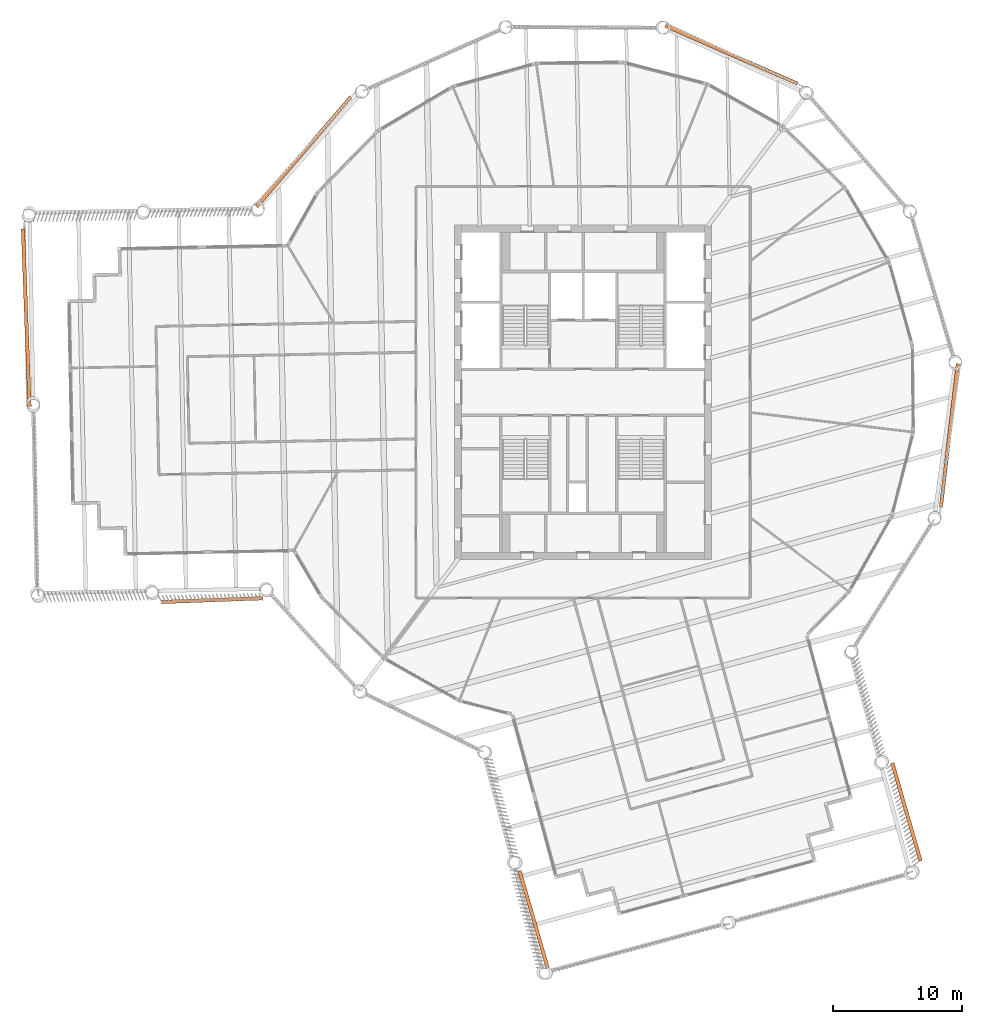
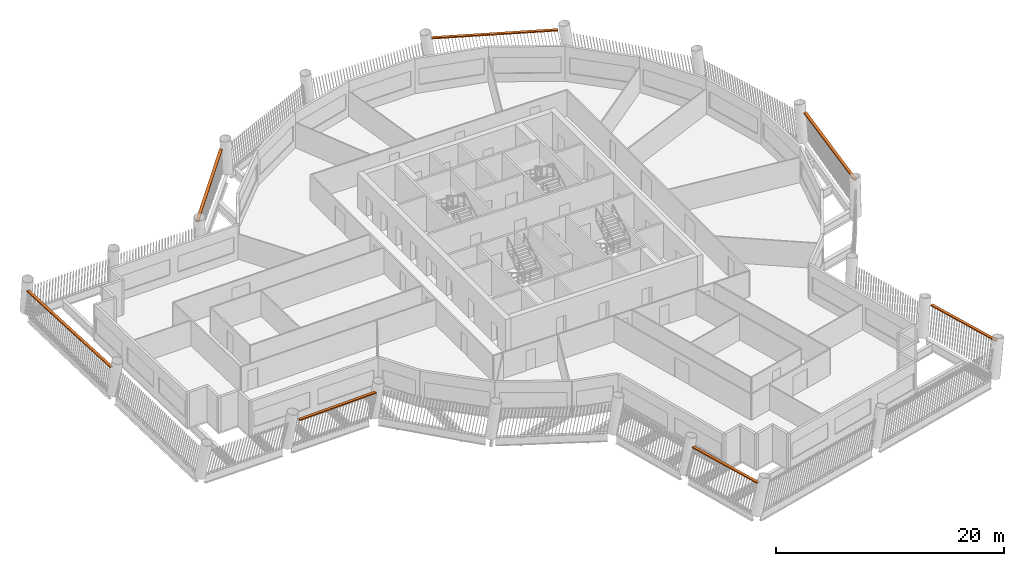
# One storey, part 15 of 15: 7 proxies.
"""IFC4 building model written with IfcOpenShell, lengths in metres."""

from ifc_helpers import new_model, si_unit, direction, frame, origin, origin_2d, place, context, subcontext, project, spatial, rectangle, extrude, material, type_object, element, save


model = new_model("IFC4")

# Units and contexts
model_context = context("Model", 3, precision=1e-05, world=origin(), true_north=direction((0.0, 1.0)))
body_context = subcontext(model_context, "Body", "Model", "MODEL_VIEW")
ifc_project = project(units=[si_unit("LENGTHUNIT", "METRE"), si_unit("AREAUNIT", "SQUARE_METRE"), si_unit("VOLUMEUNIT", "CUBIC_METRE"), si_unit("PLANEANGLEUNIT", "RADIAN"), si_unit("MASSUNIT", "GRAM", prefix="KILO")], contexts=[model_context])

# Site, building, storey
site_placement = place(None, origin())
site = spatial("IfcSite", under=ifc_project, at=site_placement, CompositionType="ELEMENT")
building_placement = place(site_placement, origin())
building = spatial("IfcBuilding", under=site, at=building_placement, Name="Tarsis Ring Headquarters", CompositionType="ELEMENT")
storey_placement = place(building_placement, frame((0.0, 0.0, 290.300048828125)))
storey = spatial("IfcBuildingStorey", under=building, at=storey_placement, Name="L68", CompositionType="ELEMENT", Elevation=290.300048828125)

# Proxies
ifc_material = material(Name="Structural steel S355", Category="steel")
building_element_proxy_type = type_object("IfcBuildingElementProxyType", Name="Screen bracket plate", PredefinedType="USERDEFINED", material=ifc_material)
for number, where, z_axis, x_axis, name in (
    (1, (-3.85400390625, -41.0322265625, 2.9677734375), (0.0, 0.0, 1.0), (0.277649978059, -0.960682304242, 0.0), "Screen bracket L68-02"),
    (2, (25.14892578125, -32.64990234375, 2.9677734375), (0.0, 0.0, 1.0), (-0.277650045127, 0.960682284858, 0.0), "Screen bracket L68-05"),
):
    element("IfcBuildingElementProxy", number, at=place(storey_placement, frame(where, z_axis=z_axis, x_axis=x_axis)), inside=storey, type_object=building_element_proxy_type, Name=name, ObjectType="Bracket", PredefinedType="USERDEFINED", context=body_context, shape_type="SweptSolid", body=[
        extrude(rectangle(XDim=7.90234375, YDim=0.280029296875, at=origin_2d()), origin(), (0.0, 0.0, 1.0), 0.1201171875),
    ])
for number, where, z_axis, x_axis, name in (
    (3, (28.492431640625, -3.365478515625, 2.9677734375), (0.0, 0.0, 1.0), (0.117298658767, 0.993096684443, 0.0), "Screen bracket L68-08"),
    (4, (11.5361328125, 26.26904296875, 2.9677734375), (0.0, 0.0, 1.0), (-0.915601177628, 0.402087656521, 0.0), "Screen bracket L68-11"),
    (5, (-21.75732421875, 18.701904296875, 2.9677734375), (0.0, 0.0, 1.0), (-0.651850627399, -0.758347387125, 0.0), "Screen bracket L68-14"),
):
    element("IfcBuildingElementProxy", number, at=place(storey_placement, frame(where, z_axis=z_axis, x_axis=x_axis)), inside=storey, type_object=building_element_proxy_type, Name=name, ObjectType="Bracket", PredefinedType="USERDEFINED", context=body_context, shape_type="SweptSolid", body=[
        extrude(rectangle(XDim=11.248779296875, YDim=0.280029296875, at=origin_2d()), origin(), (0.0, 0.0, 1.0), 0.1201171875),
    ])
proxy_1_placement = place(storey_placement, frame((-43.339111328125, 5.80078125, 2.9677734375), z_axis=(0.0, 0.0, 1.0), x_axis=(0.036992572765, -0.999315540538, 0.0)))
element("IfcBuildingElementProxy", 6, at=proxy_1_placement, inside=storey, type_object=building_element_proxy_type, Name="Screen bracket L68-17", ObjectType="Bracket", PredefinedType="USERDEFINED", context=body_context, shape_type="SweptSolid", body=[
    extrude(rectangle(XDim=13.800048828125, YDim=0.280029296875, at=origin_2d()), origin(), (0.0, 0.0, 1.0), 0.1201171875),
])
proxy_2_placement = place(storey_placement, frame((-28.8681640625, -16.173828125, 2.9677734375), z_axis=(0.0, 0.0, 1.0), x_axis=(0.999315543766, 0.036992485559, 0.0)))
element("IfcBuildingElementProxy", 7, at=proxy_2_placement, inside=storey, type_object=building_element_proxy_type, Name="Screen bracket L68-20", ObjectType="Bracket", PredefinedType="USERDEFINED", context=body_context, shape_type="SweptSolid", body=[
    extrude(rectangle(XDim=7.90234375, YDim=0.280029296875, at=origin_2d()), origin(), (0.0, 0.0, 1.0), 0.1201171875),
])

save(model, "model.ifc")
